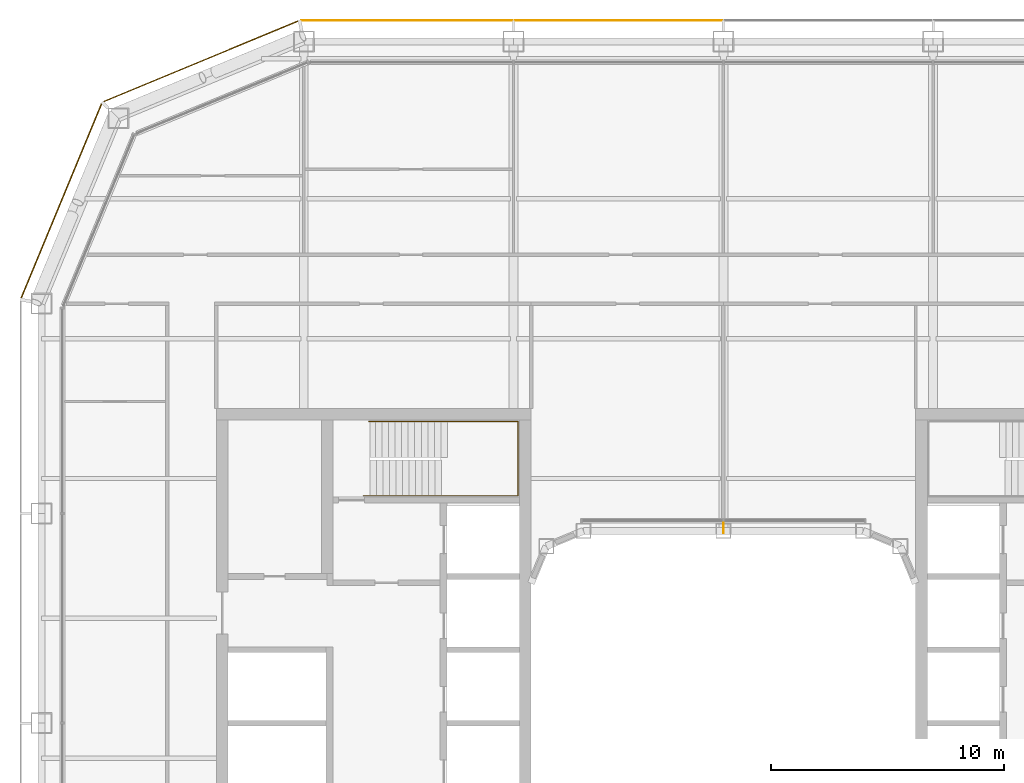
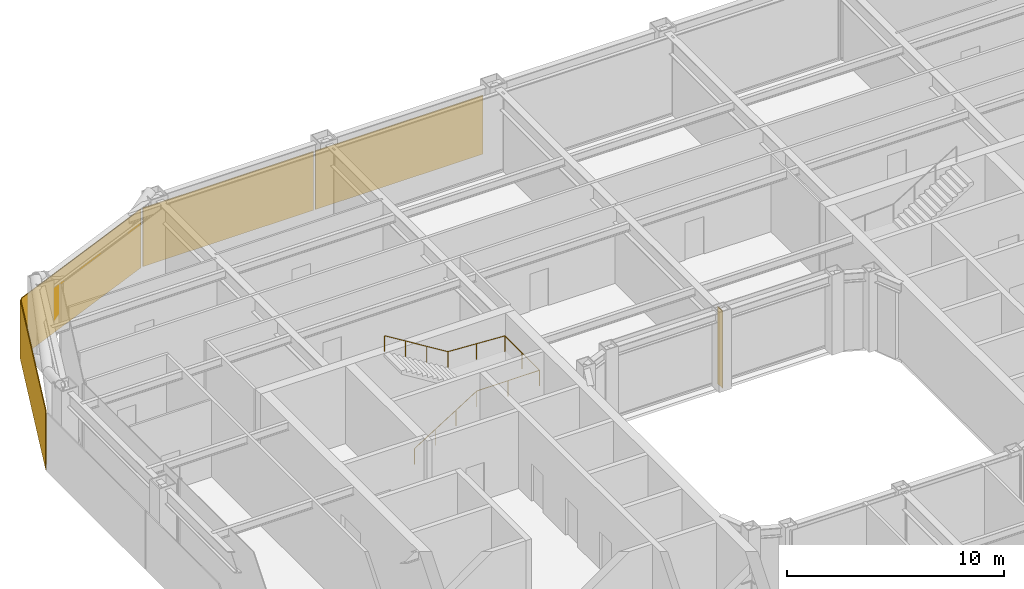
# One storey, part 21 of 23: 4 coverings, 1 railing, 1 shading device.
"""IFC4 building model written with IfcOpenShell, lengths in metres."""

from ifc_helpers import new_model, si_unit, direction, frame, origin, origin_2d, place, context, subcontext, project, spatial, rectangle, circle, extrude, material, layer, layer_set, type_object, element, save


model = new_model("IFC4")

# Units and contexts
model_context = context("Model", 3, precision=1e-05, world=origin(), true_north=direction((0.0, 1.0)))
body_context = subcontext(model_context, "Body", "Model", "MODEL_VIEW")
ifc_project = project(units=[si_unit("LENGTHUNIT", "METRE"), si_unit("AREAUNIT", "SQUARE_METRE"), si_unit("VOLUMEUNIT", "CUBIC_METRE"), si_unit("PLANEANGLEUNIT", "RADIAN"), si_unit("MASSUNIT", "GRAM", prefix="KILO")], contexts=[model_context])

# Site, building, storey
site_placement = place(None, origin())
site = spatial("IfcSite", under=ifc_project, at=site_placement, CompositionType="ELEMENT")
building_placement = place(site_placement, origin())
building = spatial("IfcBuilding", under=site, at=building_placement, Name="Siwar Civic Tower", CompositionType="ELEMENT")
storey_placement = place(building_placement, frame((0.0, 0.0, 163.199951171875)))
storey = spatial("IfcBuildingStorey", under=building, at=storey_placement, Name="L35", CompositionType="ELEMENT", Elevation=163.199951171875)

# Railing
ifc_material_1 = material(Name="Stainless steel", Category="steel")
railing_type = type_object("IfcRailingType", Name="CORE-STAIR-HANDRAIL", PredefinedType="HANDRAIL", material=ifc_material_1)
railing_placement = place(storey_placement, frame((-15.449951171875, 9.758056640625, 0.173095703125)))
element("IfcRailing", 1, at=railing_placement, inside=storey, type_object=railing_type, Name="Stair handrail ST1", PredefinedType="HANDRAIL", context=body_context, shape_type="SweptSolid", body=[
    extrude(circle(Radius=0.02001953125, at=origin_2d()), frame((0.0, 0.0, 0.8798828125), z_axis=(0.847063342986, 0.0, 0.531491950051), x_axis=(0.0, 1.0, 0.0)), (0.0, 0.0, 1.0), 3.90771484375),
    extrude(circle(Radius=0.02001953125, at=origin_2d()), frame((3.31005859375, 0.0, 2.956787109375), z_axis=(1.0, 0.0, 0.0), x_axis=(0.0, 1.0, 0.0)), (0.0, 0.0, 1.0), 3.331787109375),
    extrude(circle(Radius=0.02001953125, at=origin_2d()), frame((6.641845703125, 0.0, 2.956787109375), z_axis=(0.0, 1.0, 0.0), x_axis=(-1.0, 0.0, 0.0)), (0.0, 0.0, 1.0), 3.183837890625),
    extrude(circle(Radius=0.02001953125, at=origin_2d()), frame((6.641845703125, 3.183837890625, 2.956787109375), z_axis=(-0.99837434197, 0.0, 0.056997134106), x_axis=(0.0, -1.0, 0.0)), (0.0, 0.0, 1.0), 3.036865234375),
    extrude(circle(Radius=0.02001953125, at=origin_2d()), frame((3.60986328125, 3.183837890625, 3.1298828125), z_axis=(-0.850606129759, 0.0, 0.525803396734), x_axis=(0.0, -1.0, 0.0)), (0.0, 0.0, 1.0), 3.949951171875),
    extrude(circle(Radius=0.02001953125, at=origin_2d()), origin(), (0.0, 0.0, 1.0), 0.85986328125),
    extrude(circle(Radius=0.02001953125, at=origin_2d()), frame((1.103271484375, 0.0, 0.6923828125)), (0.0, 0.0, 1.0), 0.85986328125),
    extrude(circle(Radius=0.02001953125, at=origin_2d()), frame((2.206787109375, 0.0, 1.384521484375)), (0.0, 0.0, 1.0), 0.85986328125),
    extrude(circle(Radius=0.02001953125, at=origin_2d()), frame((3.31005859375, 0.0, 2.076904296875)), (0.0, 0.0, 1.0), 0.85986328125),
    extrude(circle(Radius=0.02001953125, at=origin_2d()), frame((4.97607421875, 0.0, 2.076904296875)), (0.0, 0.0, 1.0), 0.85986328125),
    extrude(circle(Radius=0.02001953125, at=origin_2d()), frame((6.641845703125, 0.0, 2.076904296875)), (0.0, 0.0, 1.0), 0.85986328125),
    extrude(circle(Radius=0.02001953125, at=origin_2d()), frame((6.641845703125, 1.591796875, 2.076904296875)), (0.0, 0.0, 1.0), 0.85986328125),
    extrude(circle(Radius=0.02001953125, at=origin_2d()), frame((6.641845703125, 3.183837890625, 2.076904296875)), (0.0, 0.0, 1.0), 0.85986328125),
    extrude(circle(Radius=0.02001953125, at=origin_2d()), frame((5.1259765625, 3.183837890625, 2.16357421875)), (0.0, 0.0, 1.0), 0.85986328125),
    extrude(circle(Radius=0.02001953125, at=origin_2d()), frame((3.60986328125, 3.183837890625, 2.25)), (0.0, 0.0, 1.0), 0.85986328125),
    extrude(circle(Radius=0.02001953125, at=origin_2d()), frame((2.489990234375, 3.183837890625, 2.9423828125)), (0.0, 0.0, 1.0), 0.85986328125),
    extrude(circle(Radius=0.02001953125, at=origin_2d()), frame((1.369873046875, 3.183837890625, 3.634521484375)), (0.0, 0.0, 1.0), 0.85986328125),
    extrude(circle(Radius=0.02001953125, at=origin_2d()), frame((0.25, 3.183837890625, 4.326904296875)), (0.0, 0.0, 1.0), 0.85986328125),
])

# Shading device
ifc_material_2 = material(Name="Aluminium 6063-T6", Category="aluminium")
ifc_layer_1 = layer(ifc_material_2, 0.02001953125)
ifc_layer_set_1 = layer_set([ifc_layer_1], Name="Aluminium 6063-T6")
shading_device_type = type_object("IfcShadingDeviceType", Name="ENV-FIN", PredefinedType="JALOUSIE", material=ifc_layer_set_1)
shading_device_placement = place(storey_placement, frame((0.0, 8.3701171875, 0.0), z_axis=(0.0, 0.0, 1.0), x_axis=(-1.0, 0.0, 0.0)))
element("IfcShadingDevice", 2, at=shading_device_placement, inside=storey, type_object=shading_device_type, Name="SUNSHADE fin WN 1", PredefinedType="JALOUSIE", context=body_context, shape_type="SweptSolid", body=[
    extrude(rectangle(XDim=0.02001953125, YDim=0.449951171875, at=origin_2d()), origin(), (0.0, 0.0, 1.0), 4.35009765625),
])

# Coverings
ifc_material_3 = material(Name="Perforated aluminium cassette, pale metal", Category="aluminium")
ifc_layer_2 = layer(ifc_material_3, 0.0400390625)
ifc_layer_set_2 = layer_set([ifc_layer_2], Name="Perforated aluminium cassette, pale metal")
covering_type_1 = type_object("IfcCoveringType", Name="ENV-OUTER SKIN OS-1", PredefinedType="CLADDING", material=ifc_layer_set_2)
covering_1_placement = place(storey_placement, frame((-4.5, 30.14990234375, -0.14990234375), z_axis=(0.0, 0.0, 1.0), x_axis=(-1.0, 0.0, 0.0)))
element("IfcCovering", 3, at=covering_1_placement, inside=storey, type_object=covering_type_1, Name="OUTER SKIN OS-1 N 3", PredefinedType="CLADDING", context=body_context, shape_type="SweptSolid", body=[
    extrude(rectangle(XDim=8.89990234375, YDim=0.0400390625, at=origin_2d()), origin(), (0.0, 0.0, 1.0), 3.300048828125),
])
covering_2_placement = place(storey_placement, frame((-13.57958984375, 30.14990234375, -0.14990234375), z_axis=(0.0, 0.0, 1.0), x_axis=(-1.0, 0.0, 0.0)))
element("IfcCovering", 4, at=covering_2_placement, inside=storey, type_object=covering_type_1, Name="OUTER SKIN OS-1 N 4", PredefinedType="CLADDING", context=body_context, shape_type="SweptSolid", body=[
    extrude(rectangle(XDim=9.05908203125, YDim=0.0400390625, at=origin_2d()), origin(), (0.0, 0.0, 1.0), 3.300048828125),
])
covering_3_placement = place(storey_placement, frame((-22.411376953125, 28.39697265625, -0.14990234375), z_axis=(0.0, 0.0, 1.0), x_axis=(-0.923879532511, -0.382683432365, 0.0)))
element("IfcCovering", 5, at=covering_3_placement, inside=storey, type_object=covering_type_1, Name="OUTER SKIN OS-1 NW1 1", PredefinedType="CLADDING", context=body_context, shape_type="SweptSolid", body=[
    extrude(rectangle(XDim=9.022216796875, YDim=0.0400390625, at=origin_2d()), origin(), (0.0, 0.0, 1.0), 3.300048828125),
])
ifc_material_4 = material(Name="Perforated aluminium cassette, pale metal", Category="aluminium")
ifc_layer_3 = layer(ifc_material_4, 0.044921875)
ifc_layer_set_3 = layer_set([ifc_layer_3], Name="Perforated aluminium cassette, pale metal")
covering_type_2 = type_object("IfcCoveringType", Name="ENV-OUTER SKIN OS-2", PredefinedType="CLADDING", material=ifc_layer_set_3)
covering_4_placement = place(storey_placement, frame((-28.39697265625, 22.411376953125, -0.14990234375), z_axis=(0.0, 0.0, 1.0), x_axis=(-0.382683432365, -0.923879532511, 0.0)))
element("IfcCovering", 6, at=covering_4_placement, inside=storey, type_object=covering_type_2, Name="OUTER SKIN OS-2 NW2 1", PredefinedType="CLADDING", context=body_context, shape_type="SweptSolid", body=[
    extrude(rectangle(XDim=9.022216796875, YDim=0.044921875, at=origin_2d()), origin(), (0.0, 0.0, 1.0), 3.300048828125),
])

save(model, "model.ifc")
